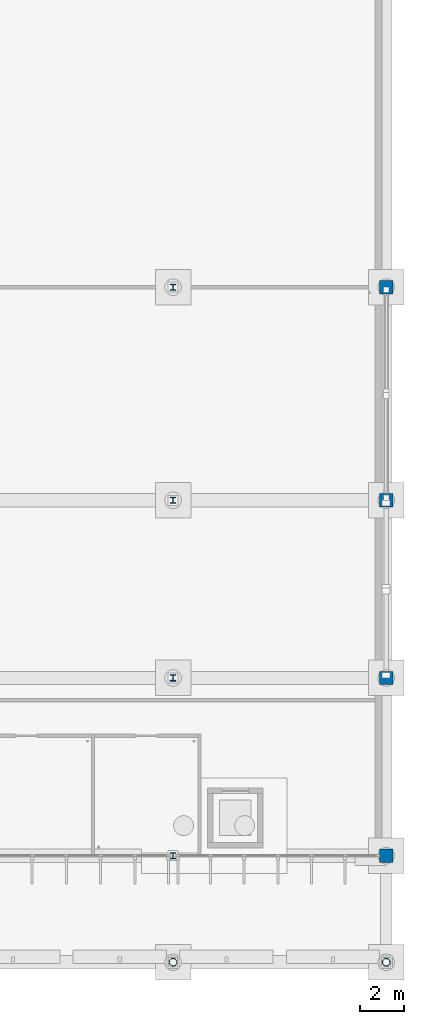
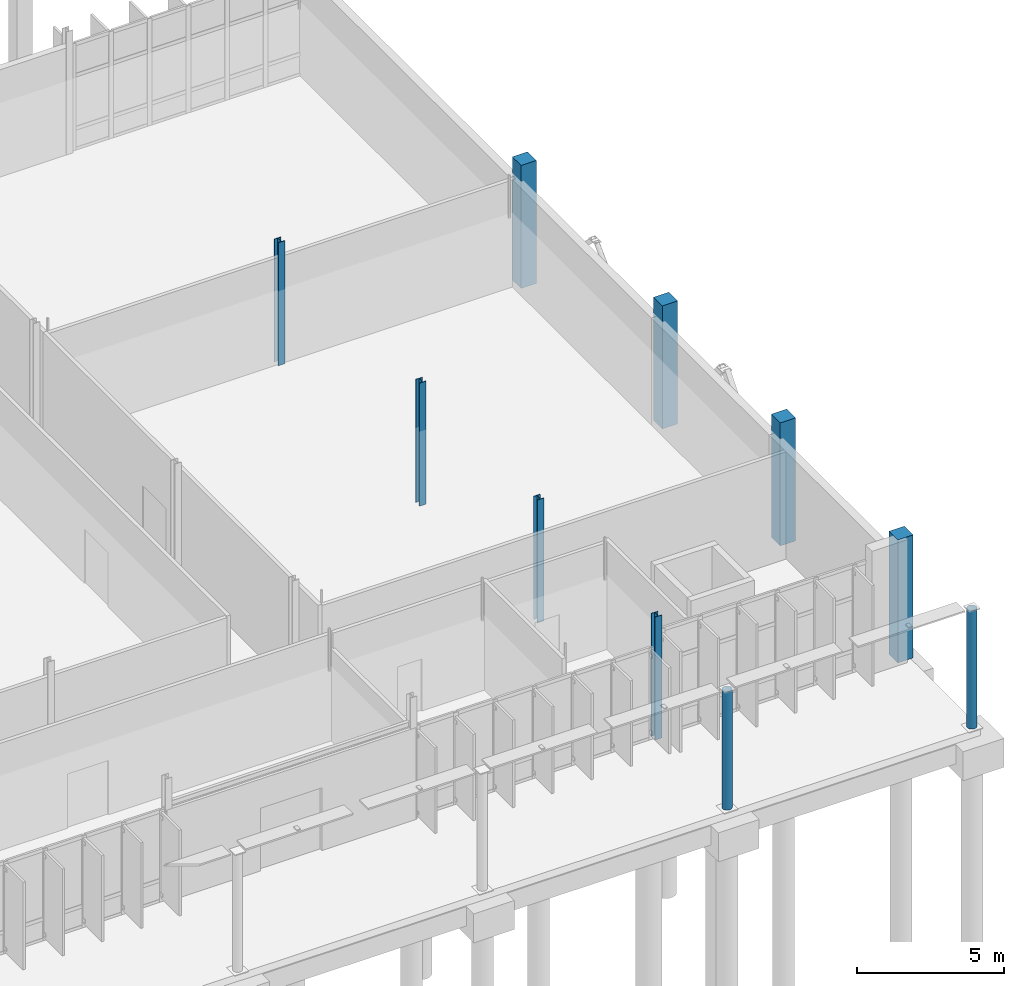
# One storey, part 19 of 111: 10 columns.
"""IFC4 building model written with IfcOpenShell, lengths in metres."""

from ifc_helpers import new_model, si_unit, direction, frame, origin, origin_2d, place, context, subcontext, project, spatial, rectangle, hollow_circle, i_section, extrude, material, material_profile, profile_set, type_object, element, save


model = new_model("IFC4")

# Units and contexts
model_context = context("Model", 3, precision=1e-05, world=origin(), true_north=direction((0.0, 1.0)))
body_context = subcontext(model_context, "Body", "Model", "MODEL_VIEW")
ifc_project = project(units=[si_unit("LENGTHUNIT", "METRE"), si_unit("AREAUNIT", "SQUARE_METRE"), si_unit("VOLUMEUNIT", "CUBIC_METRE"), si_unit("PLANEANGLEUNIT", "RADIAN"), si_unit("MASSUNIT", "GRAM", prefix="KILO")], contexts=[model_context])

# Site, building, storey
site_placement = place(None, origin())
site = spatial("IfcSite", under=ifc_project, at=site_placement, CompositionType="ELEMENT")
building_placement = place(site_placement, origin())
building = spatial("IfcBuilding", under=site, at=building_placement, Name="Dunescarp Central Library", CompositionType="ELEMENT")
storey_placement = place(building_placement, origin())
storey = spatial("IfcBuildingStorey", under=building, at=storey_placement, Name="L00", CompositionType="ELEMENT", Elevation=0.0)

# Columns
ifc_material_1 = material(Name="Steel S355J0", Category="steel")
ifc_material_profile_1 = material_profile(ifc_material_1, hollow_circle(Radius=0.177734375, WallThickness=0.012451171875, at=origin_2d()), Name="CHS 355.6x12.5")
ifc_profile_set_1 = profile_set([ifc_material_profile_1], Name="Steel S355J0")
column_type_1 = type_object("IfcColumnType", Name="STR-COL-CHS355", PredefinedType="COLUMN", material=ifc_profile_set_1)
for number, where, z_axis, x_axis, name in (
    (1, (158.39990234375, 0.0, 0.0), (0.0, 0.0, 1.0), (1.0, 0.0, 0.0), "L00 column COLS-1584"),
    (2, (168.0, 0.0, 0.0), (0.0, 0.0, 1.0), (1.0, 0.0, 0.0), "L00 column COLS-1680"),
):
    element("IfcColumn", number, at=place(storey_placement, frame(where, z_axis=z_axis, x_axis=x_axis)), inside=storey, type_object=column_type_1, Name=name, PredefinedType="COLUMN", context=body_context, shape_type="SweptSolid", body=[
        extrude(hollow_circle(Radius=0.177734375, WallThickness=0.012451171875, at=origin_2d()), origin(), (0.0, 0.0, 1.0), 4.909912109375),
    ])
ifc_material_2 = material(Name="Concrete C40/50", Category="concrete")
ifc_material_profile_2 = material_profile(ifc_material_2, rectangle(XDim=0.60009765625, YDim=0.60009765625, at=origin_2d()), Name="RC 600x600")
ifc_profile_set_2 = profile_set([ifc_material_profile_2], Name="Concrete C40/50")
column_type_2 = type_object("IfcColumnType", Name="STR-COL-RC600", PredefinedType="COLUMN", material=ifc_profile_set_2)
for number, where, z_axis, x_axis, name in (
    (3, (168.0, 4.800048828125, 0.0), (0.0, 0.0, 1.0), (1.0, 0.0, 0.0), "L00 column V5-1680-48"),
    (4, (168.0, 12.800048828125, 0.0), (0.0, 0.0, 1.0), (1.0, 0.0, 0.0), "L00 column V5-1680-128"),
    (5, (168.0, 20.800048828125, 0.0), (0.0, 0.0, 1.0), (1.0, 0.0, 0.0), "L00 column V5-1680-208"),
    (6, (168.0, 30.39990234375, 0.0), (0.0, 0.0, 1.0), (1.0, 0.0, 0.0), "L00 column V5-1680-304"),
):
    element("IfcColumn", number, at=place(storey_placement, frame(where, z_axis=z_axis, x_axis=x_axis)), inside=storey, type_object=column_type_2, Name=name, PredefinedType="COLUMN", context=body_context, shape_type="SweptSolid", body=[
        extrude(rectangle(XDim=0.60009765625, YDim=0.60009765625, at=origin_2d()), origin(), (0.0, 0.0, 1.0), 5.10009765625),
    ])
ifc_material_3 = material(Name="Steel S355JR", Category="steel")
ifc_material_profile_3 = material_profile(ifc_material_3, i_section(OverallWidth=0.26123046875, OverallDepth=0.2763671875, WebThickness=0.015380859375, FlangeThickness=0.025390625, at=origin_2d()), Name="UC 254x254x132")
ifc_profile_set_3 = profile_set([ifc_material_profile_3], Name="Steel S355JR")
column_type_3 = type_object("IfcColumnType", Name="STR-COL-UC254X132", PredefinedType="COLUMN", material=ifc_profile_set_3)
for number, where, z_axis, x_axis, name in (
    (7, (158.39990234375, 4.800048828125, 0.0), (0.0, 0.0, 1.0), (1.0, 0.0, 0.0), "L00 column V5-1584-48"),
    (8, (158.39990234375, 12.800048828125, 0.0), (0.0, 0.0, 1.0), (1.0, 0.0, 0.0), "L00 column V5-1584-128"),
    (9, (158.39990234375, 20.800048828125, 0.0), (0.0, 0.0, 1.0), (1.0, 0.0, 0.0), "L00 column V5-1584-208"),
    (10, (158.39990234375, 30.39990234375, 0.0), (0.0, 0.0, 1.0), (1.0, 0.0, 0.0), "L00 column V5-1584-304"),
):
    element("IfcColumn", number, at=place(storey_placement, frame(where, z_axis=z_axis, x_axis=x_axis)), inside=storey, type_object=column_type_3, Name=name, PredefinedType="COLUMN", context=body_context, shape_type="SweptSolid", body=[
        extrude(i_section(OverallWidth=0.26123046875, OverallDepth=0.2763671875, WebThickness=0.015380859375, FlangeThickness=0.025390625, at=origin_2d()), origin(), (0.0, 0.0, 1.0), 5.10009765625),
    ])

save(model, "model.ifc")
